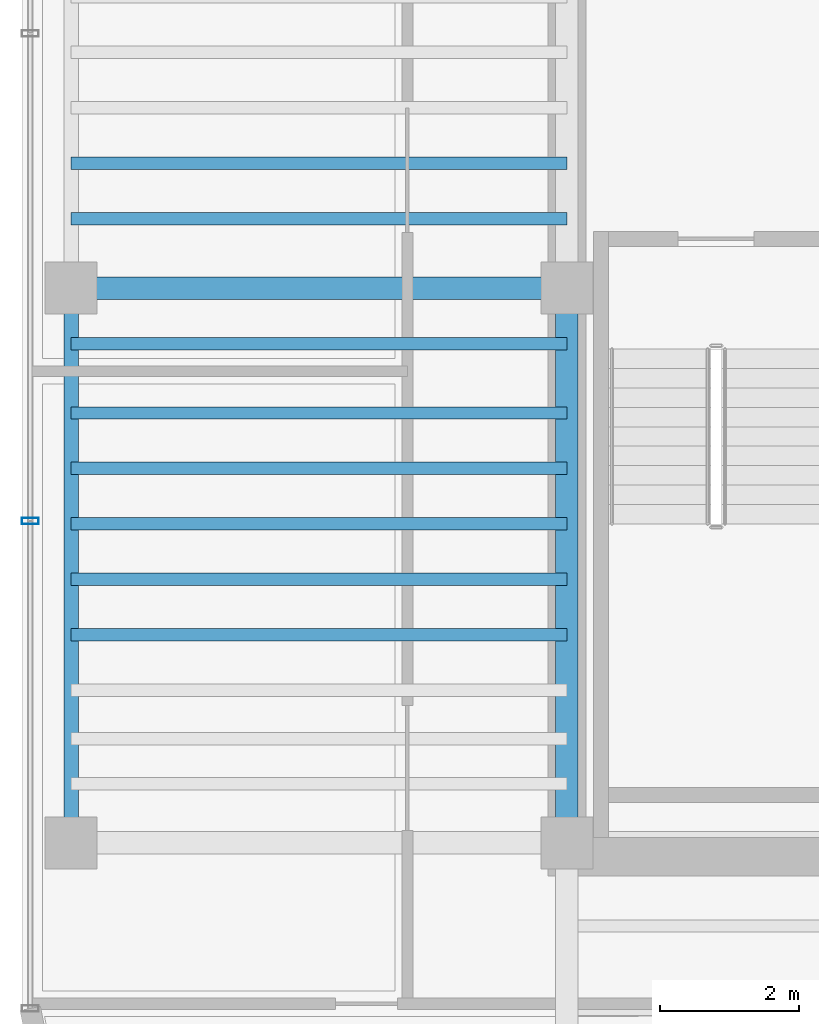
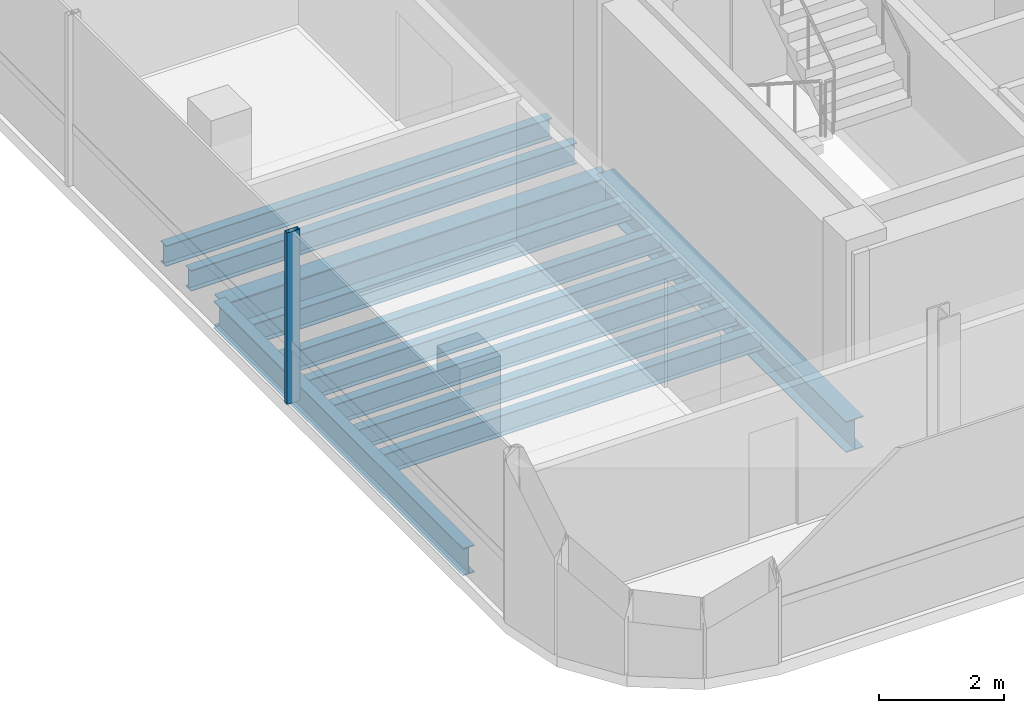
# One storey, part 3 of 17: 11 beams, 1 member, 1 element without a shape of its own.
"""IFC4 building model written with IfcOpenShell, lengths in metres."""

from ifc_helpers import new_model, si_unit, direction, frame, origin, origin_2d, place, context, subcontext, project, spatial, hollow_rectangle, i_section, extrude, source, transform, mapped, material, material_profile, profile_set, type_object, element, aggregate, save


model = new_model("IFC4")

# Units and contexts
model_context = context("Model", 3, precision=1e-05, world=origin(), true_north=direction((0.0, 1.0)))
body_context = subcontext(model_context, "Body", "Model", "MODEL_VIEW")
ifc_project = project(units=[si_unit("LENGTHUNIT", "METRE"), si_unit("AREAUNIT", "SQUARE_METRE"), si_unit("VOLUMEUNIT", "CUBIC_METRE"), si_unit("PLANEANGLEUNIT", "RADIAN"), si_unit("MASSUNIT", "GRAM", prefix="KILO")], contexts=[model_context])

# Site, building, storey
site_placement = place(None, origin())
site = spatial("IfcSite", under=ifc_project, at=site_placement, CompositionType="ELEMENT")
building_placement = place(site_placement, origin())
building = spatial("IfcBuilding", under=site, at=building_placement, Name="Valdorenza Pilgrim Sanctuary Tower", CompositionType="ELEMENT")
storey_placement = place(building_placement, frame((0.0, 0.0, 287.0)))
storey = spatial("IfcBuildingStorey", under=building, at=storey_placement, Name="L75", CompositionType="ELEMENT", Elevation=287.0)

# Beams
ifc_material_1 = material(Name="Steel ASTM A992 Grade 50", Category="steel")
ifc_material_profile_1 = material_profile(ifc_material_1, i_section(OverallWidth=0.323974609375, OverallDepth=0.611083984375, WebThickness=0.0126953125, FlangeThickness=0.01904296875, at=origin_2d()), Name="W24X104")
ifc_profile_set_1 = profile_set([ifc_material_profile_1], Name="Steel ASTM A992 Grade 50")
beam_type_1 = type_object("IfcBeamType", Name="STR-BM-GRD-W24B", PredefinedType="BEAM", material=ifc_profile_set_1)
shared_shape_1 = source(origin(), body_context, "Body", "SweptSolid", [
    extrude(i_section(OverallWidth=0.323974609375, OverallDepth=0.611083984375, WebThickness=0.0126953125, FlangeThickness=0.01904296875, at=origin_2d()), origin(), (0.0, 0.0, 1.0), 8.0),
])
beam_1_placement = place(storey_placement, frame((-22.64990234375, -10.60009765625, -0.54541015625), z_axis=(0.0, 1.0, 0.0), x_axis=(-1.0, 0.0, 0.0)))
element("IfcBeam", 1, at=beam_1_placement, inside=storey, type_object=beam_type_1, Name="L75 Core Tie Girder CA-W-S1M0", PredefinedType="BEAM", context=body_context, shape_type="MappedRepresentation", body=[
    mapped(shared_shape_1, transform((0.0, 0.0, 0.0), x_axis=(1.0, 0.0, 0.0), y_axis=(0.0, 1.0, 0.0), z_axis=(0.0, 0.0, 1.0), scale=1.0)),
])
ifc_material_profile_2 = material_profile(ifc_material_1, i_section(OverallWidth=0.2109375, OverallDepth=0.5390625, WebThickness=0.01171875, FlangeThickness=0.018798828125, at=origin_2d()), Name="W21X73")
ifc_profile_set_2 = profile_set([ifc_material_profile_2], Name="Steel ASTM A992 Grade 50")
beam_type_2 = type_object("IfcBeamType", Name="STR-BM-SPN-W21B", PredefinedType="SPANDREL", material=ifc_profile_set_2)
shared_shape_2 = source(origin(), body_context, "Body", "SweptSolid", [
    extrude(i_section(OverallWidth=0.2109375, OverallDepth=0.5390625, WebThickness=0.01171875, FlangeThickness=0.018798828125, at=origin_2d()), origin(), (0.0, 0.0, 1.0), 8.0),
])
beam_2_placement = place(storey_placement, frame((-29.800048828125, -10.60009765625, -0.509521484375), z_axis=(0.0, 1.0, 0.0), x_axis=(-1.0, 0.0, 0.0)))
element("IfcBeam", 2, at=beam_2_placement, inside=storey, type_object=beam_type_2, Name="L75 Spandrel Beam WA-W-S1M0", PredefinedType="SPANDREL", context=body_context, shape_type="MappedRepresentation", body=[
    mapped(shared_shape_2, transform((0.0, 0.0, 0.0), x_axis=(1.0, 0.0, 0.0), y_axis=(0.0, 1.0, 0.0), z_axis=(0.0, 0.0, 1.0), scale=1.0)),
])
ifc_material_profile_3 = material_profile(ifc_material_1, i_section(OverallWidth=0.177978515625, OverallDepth=0.406005859375, WebThickness=0.0078125, FlangeThickness=0.0126953125, at=origin_2d()), Name="W16X40")
ifc_profile_set_3 = profile_set([ifc_material_profile_3], Name="Steel ASTM A992 Grade 50")
beam_type_3 = type_object("IfcBeamType", Name="STR-BM-JST-W16", PredefinedType="JOIST", material=ifc_profile_set_3)
shared_shape_3 = source(origin(), body_context, "Body", "SweptSolid", [
    extrude(i_section(OverallWidth=0.177978515625, OverallDepth=0.406005859375, WebThickness=0.0078125, FlangeThickness=0.0126953125, at=origin_2d()), origin(), (0.0, 0.0, 1.0), 7.150146484375),
])
for number, where, z_axis, x_axis, name in (
    (3, (-29.800048828125, -7.60009765625, -0.443115234375), (1.0, 0.0, 0.0), (0.0, 1.0, 0.0), "L75 Composite Floor Joist JST-WA-4"),
    (4, (-29.800048828125, -6.800048828125, -0.443115234375), (1.0, 0.0, 0.0), (0.0, 1.0, 0.0), "L75 Composite Floor Joist JST-WA-5"),
    (5, (-29.800048828125, -6.0, -0.443115234375), (1.0, 0.0, 0.0), (0.0, 1.0, 0.0), "L75 Composite Floor Joist JST-WA-6"),
    (6, (-29.800048828125, -5.199951171875, -0.443115234375), (1.0, 0.0, 0.0), (0.0, 1.0, 0.0), "L75 Composite Floor Joist JST-WA-7"),
    (7, (-29.800048828125, -4.39990234375, -0.443115234375), (1.0, 0.0, 0.0), (0.0, 1.0, 0.0), "L75 Composite Floor Joist JST-WA-8"),
    (8, (-29.800048828125, -3.39990234375, -0.443115234375), (1.0, 0.0, 0.0), (0.0, 1.0, 0.0), "L75 Composite Floor Joist JST-WA-9"),
    (9, (-29.800048828125, -1.60009765625, -0.443115234375), (1.0, 0.0, 0.0), (0.0, 1.0, 0.0), "L75 Composite Floor Joist JST-WA-10"),
    (10, (-29.800048828125, -0.800048828125, -0.443115234375), (1.0, 0.0, 0.0), (0.0, 1.0, 0.0), "L75 Composite Floor Joist JST-WA-11"),
):
    element("IfcBeam", number, at=place(storey_placement, frame(where, z_axis=z_axis, x_axis=x_axis)), inside=storey, type_object=beam_type_3, Name=name, PredefinedType="JOIST", context=body_context, shape_type="MappedRepresentation", body=[
        mapped(shared_shape_3, transform((0.0, 0.0, 0.0), x_axis=(1.0, 0.0, 0.0), y_axis=(0.0, 1.0, 0.0), z_axis=(0.0, 0.0, 1.0), scale=1.0)),
    ])
ifc_material_profile_4 = material_profile(ifc_material_1, i_section(OverallWidth=0.326904296875, OverallDepth=0.6220703125, WebThickness=0.015380859375, FlangeThickness=0.0244140625, at=origin_2d()), Name="W24X131")
ifc_profile_set_4 = profile_set([ifc_material_profile_4], Name="Steel ASTM A992 Grade 50")
beam_type_4 = type_object("IfcBeamType", Name="STR-BM-GRD-W24A", PredefinedType="BEAM", material=ifc_profile_set_4)
shared_shape_4 = source(origin(), body_context, "Body", "SweptSolid", [
    extrude(i_section(OverallWidth=0.326904296875, OverallDepth=0.6220703125, WebThickness=0.015380859375, FlangeThickness=0.0244140625, at=origin_2d()), origin(), (0.0, 0.0, 1.0), 7.150146484375),
])
beam_3_placement = place(storey_placement, frame((-29.800048828125, -2.60009765625, -0.551025390625), z_axis=(1.0, 0.0, 0.0), x_axis=(0.0, 1.0, 0.0)))
element("IfcBeam", 11, at=beam_3_placement, inside=storey, type_object=beam_type_4, Name="L75 Floor Girder WA-XW-M0", PredefinedType="BEAM", context=body_context, shape_type="MappedRepresentation", body=[
    mapped(shared_shape_4, transform((0.0, 0.0, 0.0), x_axis=(1.0, 0.0, 0.0), y_axis=(0.0, 1.0, 0.0), z_axis=(0.0, 0.0, 1.0), scale=1.0)),
])

# Curtain wall, member
ifc_material_2 = material(Name="Curtain-wall IGU glazing", Category="glass")
curtain_wall_type = type_object("IfcCurtainWallType", Name="CW-SYS-04", PredefinedType="NOTDEFINED", material=ifc_material_2)
curtain_wall_placement = place(storey_placement, origin())
curtain_wall = element("IfcCurtainWall", 12, at=curtain_wall_placement, inside=storey, type_object=curtain_wall_type, Name="L75 Curtain Wall CW-L75-1-1", PredefinedType="NOTDEFINED")
ifc_material_3 = material(Name="Anodised aluminium AW-6060", Category="aluminium")
ifc_material_profile_5 = material_profile(ifc_material_3, hollow_rectangle(XDim=0.090087890625, YDim=0.239990234375, WallThickness=0.0048828125, at=origin_2d()), Name="ALU-M 240x90x5")
ifc_profile_set_5 = profile_set([ifc_material_profile_5], Name="Anodised aluminium AW-6060")
member_type = type_object("IfcMemberType", Name="CW-MUL-04", PredefinedType="MULLION", material=ifc_profile_set_5)
shared_shape_5 = source(origin(), body_context, "Body", "SweptSolid", [
    extrude(hollow_rectangle(XDim=0.090087890625, YDim=0.239990234375, WallThickness=0.0048828125, at=origin_2d()), origin(), (0.0, 0.0, 1.0), 3.360107421875),
])
member_placement = place(storey_placement, frame((-30.389892578125, -5.957763671875, 0.0), z_axis=(0.0, 0.0, 1.0), x_axis=(0.0, 1.0, 0.0)))
member = element("IfcMember", 13, at=member_placement, type_object=member_type, Name="CW-L75-1-1 Mullion 2", PredefinedType="MULLION", context=body_context, shape_type="MappedRepresentation", body=[
    mapped(shared_shape_5, transform((0.0, 0.0, 0.0), x_axis=(1.0, 0.0, 0.0), y_axis=(0.0, 1.0, 0.0), z_axis=(0.0, 0.0, 1.0), scale=1.0)),
])
aggregate(curtain_wall, [member])

save(model, "model.ifc")
